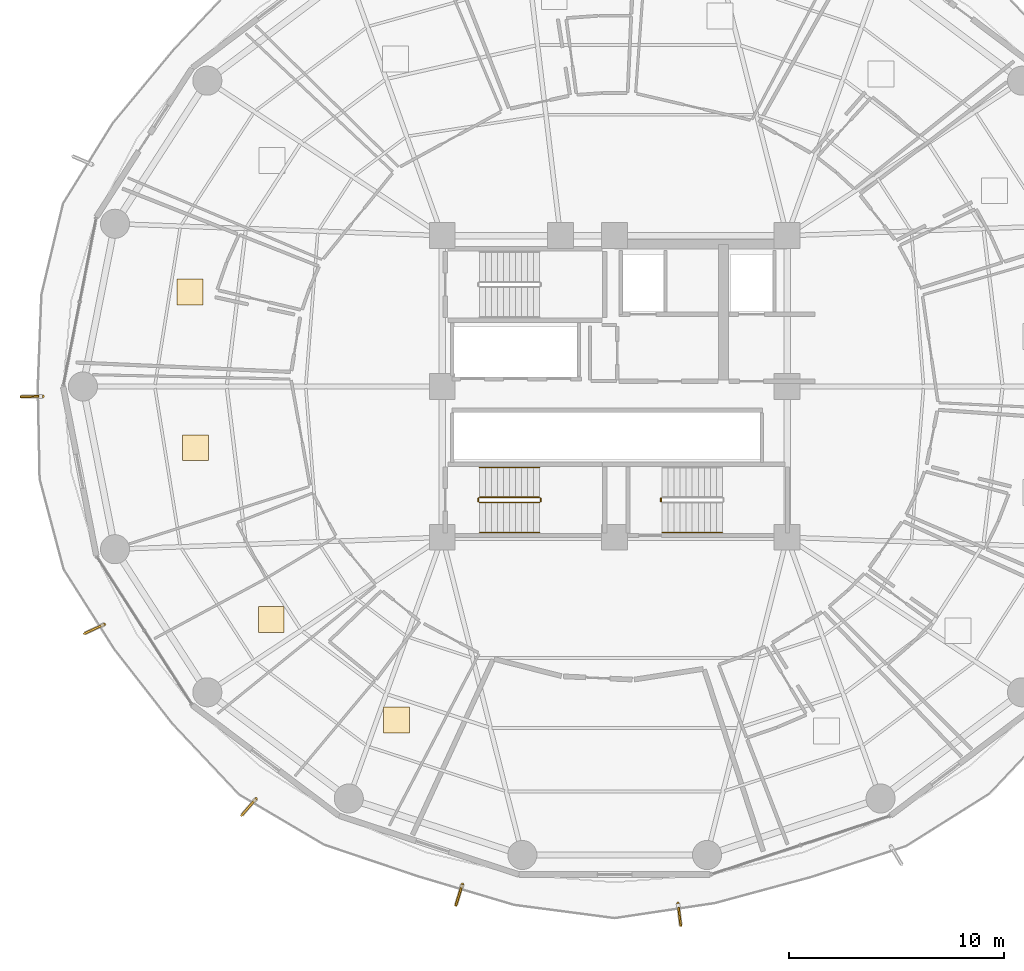
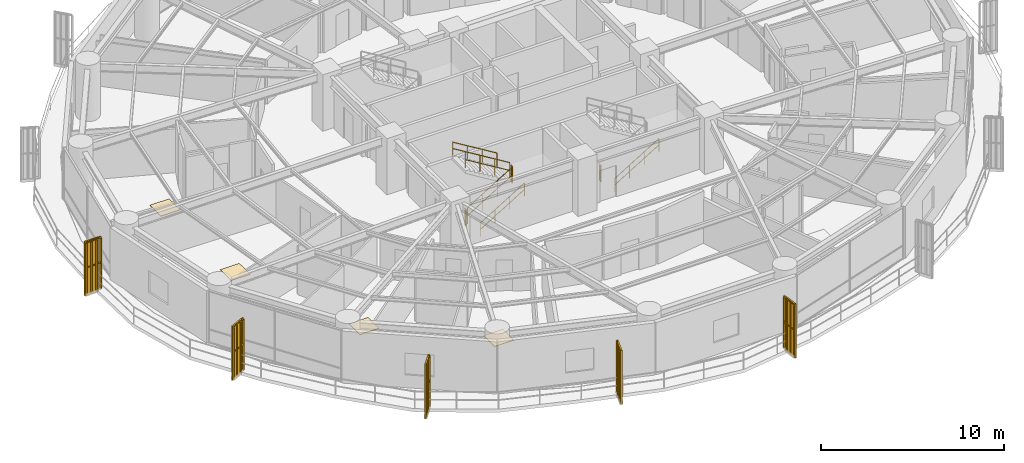
# One storey, part 34 of 37: 13 railings, 5 shading devices, 4 coverings.
"""IFC4 building model written with IfcOpenShell, lengths in metres."""

from ifc_helpers import new_model, si_unit, direction, frame, origin, origin_2d, place, context, subcontext, project, spatial, polyline, rectangle, outline, extrude, source, transform, mapped, material, layer, layer_set, type_object, element, save


model = new_model("IFC4")

# Units and contexts
model_context = context("Model", 3, precision=1e-05, world=origin(), true_north=direction((0.0, 1.0)))
body_context = subcontext(model_context, "Body", "Model", "MODEL_VIEW")
ifc_project = project(units=[si_unit("LENGTHUNIT", "METRE"), si_unit("AREAUNIT", "SQUARE_METRE"), si_unit("VOLUMEUNIT", "CUBIC_METRE"), si_unit("PLANEANGLEUNIT", "RADIAN"), si_unit("MASSUNIT", "GRAM", prefix="KILO")], contexts=[model_context])

# Site, building, storey
site_placement = place(None, origin())
site = spatial("IfcSite", under=ifc_project, at=site_placement, CompositionType="ELEMENT")
building_placement = place(site_placement, origin())
building = spatial("IfcBuilding", under=site, at=building_placement, Name="Kelanora Arch Commons", CompositionType="ELEMENT")
storey_placement = place(building_placement, frame((0.0, 0.0, 110.10009765625)))
storey = spatial("IfcBuildingStorey", under=building, at=storey_placement, Name="L28", CompositionType="ELEMENT", Elevation=110.10009765625)

# Railings
ifc_material_1 = material(Name="Anodised bronze vertical shading fin rib assembly")
railing_type_1 = type_object("IfcRailingType", Name="RAIL-FIN-BRZ", PredefinedType="BALUSTRADE", material=ifc_material_1)
railing_1_placement = place(storey_placement, frame((47.453125, 57.543701171875, -0.02001953125)))
element("IfcRailing", 1, at=railing_1_placement, inside=storey, type_object=railing_type_1, Name="Sweeping Bronze Vertical Fin Blade L28-06", PredefinedType="BALUSTRADE", context=body_context, shape_type="SweptSolid", body=[
    extrude(outline(polyline([(0.06982421875, 0.0), (0.034912109375, 0.060546875), (-0.034912109375, 0.060546875), (-0.06982421875, 0.0), (-0.034912109375, -0.060546875), (0.034912109375, -0.060546875), (0.06982421875, 0.0)])), frame((0.0, 0.0, 3.419921875), z_axis=(-0.999850324265, -0.017301129061, 0.0), x_axis=(0.017301129061, -0.999850324265, 0.0)), (0.0, 0.0, 1.0), 0.945556640625),
    extrude(outline(polyline([(0.06982421875, 0.0), (0.034912109375, 0.060546875), (-0.034912109375, 0.060546875), (-0.06982421875, 0.0), (-0.034912109375, -0.060546875), (0.034912109375, -0.060546875), (0.06982421875, 0.0)])), frame((0.0, 0.0, 1.7451171875), z_axis=(-0.999850324265, -0.017301129061, 0.0), x_axis=(0.017301129061, -0.999850324265, 0.0)), (0.0, 0.0, 1.0), 0.945556640625),
    extrude(outline(polyline([(0.080078125, 0.0), (0.0400390625, 0.0693359375), (-0.0400390625, 0.0693359375), (-0.080078125, 0.0), (-0.0400390625, -0.0693359375), (0.0400390625, -0.0693359375), (0.080078125, 0.0)])), origin(), (0.0, 0.0, 1.0), 3.35009765625),
    extrude(outline(polyline([(0.080078125, 0.0), (0.0400390625, 0.0693359375), (-0.0400390625, 0.0693359375), (-0.080078125, 0.0), (-0.0400390625, -0.0693359375), (0.0400390625, -0.0693359375), (0.080078125, 0.0)])), frame((-0.315185546875, -0.00537109375, 0.0)), (0.0, 0.0, 1.0), 3.35009765625),
    extrude(outline(polyline([(0.080078125, 0.0), (0.0400390625, 0.0693359375), (-0.0400390625, 0.0693359375), (-0.080078125, 0.0), (-0.0400390625, -0.0693359375), (0.0400390625, -0.0693359375), (0.080078125, 0.0)])), frame((-0.630126953125, -0.010986328125, 0.0)), (0.0, 0.0, 1.0), 3.35009765625),
    extrude(outline(polyline([(0.080078125, 0.0), (0.0400390625, 0.0693359375), (-0.0400390625, 0.0693359375), (-0.080078125, 0.0), (-0.0400390625, -0.0693359375), (0.0400390625, -0.0693359375), (0.080078125, 0.0)])), frame((-0.9453125, -0.016357421875, 0.0)), (0.0, 0.0, 1.0), 3.35009765625),
])
railing_2_placement = place(storey_placement, frame((50.30419921875, 46.9580078125, -0.02001953125)))
element("IfcRailing", 2, at=railing_2_placement, inside=storey, type_object=railing_type_1, Name="Sweeping Bronze Vertical Fin Blade L28-07", PredefinedType="BALUSTRADE", context=body_context, shape_type="SweptSolid", body=[
    extrude(outline(polyline([(0.06982421875, 0.0), (0.034912109375, 0.060546875), (-0.034912109375, 0.060546875), (-0.06982421875, 0.0), (-0.034912109375, -0.060546875), (0.034912109375, -0.060546875), (0.06982421875, 0.0)])), frame((0.0, 0.0, 3.419921875), z_axis=(-0.906433755394, -0.422348016549, 0.0), x_axis=(0.422348016549, -0.906433755394, 0.0)), (0.0, 0.0, 1.0), 0.945068359375),
    extrude(outline(polyline([(0.06982421875, 0.0), (0.034912109375, 0.060546875), (-0.034912109375, 0.060546875), (-0.06982421875, 0.0), (-0.034912109375, -0.060546875), (0.034912109375, -0.060546875), (0.06982421875, 0.0)])), frame((0.0, 0.0, 1.7451171875), z_axis=(-0.906433755394, -0.422348016549, 0.0), x_axis=(0.422348016549, -0.906433755394, 0.0)), (0.0, 0.0, 1.0), 0.945068359375),
    extrude(outline(polyline([(0.080078125, 0.0), (0.0400390625, 0.0693359375), (-0.0400390625, 0.0693359375), (-0.080078125, 0.0), (-0.0400390625, -0.0693359375), (0.0400390625, -0.0693359375), (0.080078125, 0.0)])), origin(), (0.0, 0.0, 1.0), 3.35009765625),
    extrude(outline(polyline([(0.080078125, 0.0), (0.0400390625, 0.0693359375), (-0.0400390625, 0.0693359375), (-0.080078125, 0.0), (-0.0400390625, -0.0693359375), (0.0400390625, -0.0693359375), (0.080078125, 0.0)])), frame((-0.28564453125, -0.133056640625, 0.0)), (0.0, 0.0, 1.0), 3.35009765625),
    extrude(outline(polyline([(0.080078125, 0.0), (0.0400390625, 0.0693359375), (-0.0400390625, 0.0693359375), (-0.080078125, 0.0), (-0.0400390625, -0.0693359375), (0.0400390625, -0.0693359375), (0.080078125, 0.0)])), frame((-0.571044921875, -0.26611328125, 0.0)), (0.0, 0.0, 1.0), 3.35009765625),
    extrude(outline(polyline([(0.080078125, 0.0), (0.0400390625, 0.0693359375), (-0.0400390625, 0.0693359375), (-0.080078125, 0.0), (-0.0400390625, -0.0693359375), (0.0400390625, -0.0693359375), (0.080078125, 0.0)])), frame((-0.856689453125, -0.399169921875, 0.0)), (0.0, 0.0, 1.0), 3.35009765625),
])
railing_3_placement = place(storey_placement, frame((57.349609375, 38.85595703125, -0.02001953125)))
element("IfcRailing", 3, at=railing_3_placement, inside=storey, type_object=railing_type_1, Name="Sweeping Bronze Vertical Fin Blade L28-08", PredefinedType="BALUSTRADE", context=body_context, shape_type="SweptSolid", body=[
    extrude(outline(polyline([(0.06982421875, 0.0), (0.034912109375, 0.060546875), (-0.034912109375, 0.060546875), (-0.06982421875, 0.0), (-0.034912109375, -0.060546875), (0.034912109375, -0.060546875), (0.06982421875, 0.0)])), frame((0.0, 0.0, 3.419921875), z_axis=(-0.656344903227, -0.754460978453, 0.0), x_axis=(0.754460978453, -0.656344903227, 0.0)), (0.0, 0.0, 1.0), 0.945556640625),
    extrude(outline(polyline([(0.06982421875, 0.0), (0.034912109375, 0.060546875), (-0.034912109375, 0.060546875), (-0.06982421875, 0.0), (-0.034912109375, -0.060546875), (0.034912109375, -0.060546875), (0.06982421875, 0.0)])), frame((0.0, 0.0, 1.7451171875), z_axis=(-0.656344903227, -0.754460978453, 0.0), x_axis=(0.754460978453, -0.656344903227, 0.0)), (0.0, 0.0, 1.0), 0.945556640625),
    extrude(outline(polyline([(0.080078125, 0.0), (0.0400390625, 0.0693359375), (-0.0400390625, 0.0693359375), (-0.080078125, 0.0), (-0.0400390625, -0.0693359375), (0.0400390625, -0.0693359375), (0.080078125, 0.0)])), origin(), (0.0, 0.0, 1.0), 3.35009765625),
    extrude(outline(polyline([(0.080078125, 0.0), (0.0400390625, 0.0693359375), (-0.0400390625, 0.0693359375), (-0.080078125, 0.0), (-0.0400390625, -0.0693359375), (0.0400390625, -0.0693359375), (0.080078125, 0.0)])), frame((-0.206787109375, -0.23779296875, 0.0)), (0.0, 0.0, 1.0), 3.35009765625),
    extrude(outline(polyline([(0.080078125, 0.0), (0.0400390625, 0.0693359375), (-0.0400390625, 0.0693359375), (-0.080078125, 0.0), (-0.0400390625, -0.0693359375), (0.0400390625, -0.0693359375), (0.080078125, 0.0)])), frame((-0.413818359375, -0.4755859375, 0.0)), (0.0, 0.0, 1.0), 3.35009765625),
    extrude(outline(polyline([(0.080078125, 0.0), (0.0400390625, 0.0693359375), (-0.0400390625, 0.0693359375), (-0.080078125, 0.0), (-0.0400390625, -0.0693359375), (0.0400390625, -0.0693359375), (0.080078125, 0.0)])), frame((-0.62060546875, -0.71337890625, 0.0)), (0.0, 0.0, 1.0), 3.35009765625),
])
railing_4_placement = place(storey_placement, frame((66.927734375, 34.889404296875, -0.02001953125)))
element("IfcRailing", 4, at=railing_4_placement, inside=storey, type_object=railing_type_1, Name="Sweeping Bronze Vertical Fin Blade L28-09", PredefinedType="BALUSTRADE", context=body_context, shape_type="SweptSolid", body=[
    extrude(outline(polyline([(0.06982421875, 0.0), (0.034912109375, 0.060546875), (-0.034912109375, 0.060546875), (-0.06982421875, 0.0), (-0.034912109375, -0.060546875), (0.034912109375, -0.060546875), (0.06982421875, 0.0)])), frame((0.0, 0.0, 3.419921875), z_axis=(-0.292651615024, -0.956219133998, 0.0), x_axis=(0.956219133998, -0.292651615024, 0.0)), (0.0, 0.0, 1.0), 0.945068359375),
    extrude(outline(polyline([(0.06982421875, 0.0), (0.034912109375, 0.060546875), (-0.034912109375, 0.060546875), (-0.06982421875, 0.0), (-0.034912109375, -0.060546875), (0.034912109375, -0.060546875), (0.06982421875, 0.0)])), frame((0.0, 0.0, 1.7451171875), z_axis=(-0.292651615024, -0.956219133998, 0.0), x_axis=(0.956219133998, -0.292651615024, 0.0)), (0.0, 0.0, 1.0), 0.945068359375),
    extrude(outline(polyline([(0.080078125, 0.0), (0.0400390625, 0.0693359375), (-0.0400390625, 0.0693359375), (-0.080078125, 0.0), (-0.0400390625, -0.0693359375), (0.0400390625, -0.0693359375), (0.080078125, 0.0)])), origin(), (0.0, 0.0, 1.0), 3.35009765625),
    extrude(outline(polyline([(0.080078125, 0.0), (0.0400390625, 0.0693359375), (-0.0400390625, 0.0693359375), (-0.080078125, 0.0), (-0.0400390625, -0.0693359375), (0.0400390625, -0.0693359375), (0.080078125, 0.0)])), frame((-0.09228515625, -0.30126953125, 0.0)), (0.0, 0.0, 1.0), 3.35009765625),
    extrude(outline(polyline([(0.080078125, 0.0), (0.0400390625, 0.0693359375), (-0.0400390625, 0.0693359375), (-0.080078125, 0.0), (-0.0400390625, -0.0693359375), (0.0400390625, -0.0693359375), (0.080078125, 0.0)])), frame((-0.184326171875, -0.6025390625, 0.0)), (0.0, 0.0, 1.0), 3.35009765625),
    extrude(outline(polyline([(0.080078125, 0.0), (0.0400390625, 0.0693359375), (-0.0400390625, 0.0693359375), (-0.080078125, 0.0), (-0.0400390625, -0.0693359375), (0.0400390625, -0.0693359375), (0.080078125, 0.0)])), frame((-0.276611328125, -0.90380859375, 0.0)), (0.0, 0.0, 1.0), 3.35009765625),
])
railing_5_placement = place(storey_placement, frame((76.941162109375, 33.994873046875, -0.02001953125)))
element("IfcRailing", 5, at=railing_5_placement, inside=storey, type_object=railing_type_1, Name="Sweeping Bronze Vertical Fin Blade L28-10", PredefinedType="BALUSTRADE", context=body_context, shape_type="SweptSolid", body=[
    extrude(outline(polyline([(0.06982421875, 0.0), (0.034912109375, 0.060546875), (-0.034912109375, 0.060546875), (-0.06982421875, 0.0), (-0.034912109375, -0.060546875), (0.034912109375, -0.060546875), (0.06982421875, 0.0)])), frame((0.0, 0.0, 3.419921875), z_axis=(0.121364660427, -0.992607988684, 0.0), x_axis=(0.992607988684, 0.121364660427, 0.0)), (0.0, 0.0, 1.0), 0.945556640625),
    extrude(outline(polyline([(0.06982421875, 0.0), (0.034912109375, 0.060546875), (-0.034912109375, 0.060546875), (-0.06982421875, 0.0), (-0.034912109375, -0.060546875), (0.034912109375, -0.060546875), (0.06982421875, 0.0)])), frame((0.0, 0.0, 1.7451171875), z_axis=(0.121364660427, -0.992607988684, 0.0), x_axis=(0.992607988684, 0.121364660427, 0.0)), (0.0, 0.0, 1.0), 0.945556640625),
    extrude(outline(polyline([(0.080078125, 0.0), (0.0400390625, 0.0693359375), (-0.0400390625, 0.0693359375), (-0.080078125, 0.0), (-0.0400390625, -0.0693359375), (0.0400390625, -0.0693359375), (0.080078125, 0.0)])), origin(), (0.0, 0.0, 1.0), 3.35009765625),
    extrude(outline(polyline([(0.080078125, 0.0), (0.0400390625, 0.0693359375), (-0.0400390625, 0.0693359375), (-0.080078125, 0.0), (-0.0400390625, -0.0693359375), (0.0400390625, -0.0693359375), (0.080078125, 0.0)])), frame((0.038330078125, -0.312744140625, 0.0)), (0.0, 0.0, 1.0), 3.35009765625),
    extrude(outline(polyline([(0.080078125, 0.0), (0.0400390625, 0.0693359375), (-0.0400390625, 0.0693359375), (-0.080078125, 0.0), (-0.0400390625, -0.0693359375), (0.0400390625, -0.0693359375), (0.080078125, 0.0)])), frame((0.076416015625, -0.625732421875, 0.0)), (0.0, 0.0, 1.0), 3.35009765625),
    extrude(outline(polyline([(0.080078125, 0.0), (0.0400390625, 0.0693359375), (-0.0400390625, 0.0693359375), (-0.080078125, 0.0), (-0.0400390625, -0.0693359375), (0.0400390625, -0.0693359375), (0.080078125, 0.0)])), frame((0.11474609375, -0.9384765625, 0.0)), (0.0, 0.0, 1.0), 3.35009765625),
])
ifc_material_2 = material(Name="Painted steel stair well guard", Category="steel")
railing_type_2 = type_object("IfcRailingType", Name="RAIL-STAIR-GRD", PredefinedType="GUARDRAIL", material=ifc_material_2)
railing_6_placement = place(storey_placement, frame((76.14990234375, 52.659912109375, 0.0)))
element("IfcRailing", 6, at=railing_6_placement, inside=storey, type_object=railing_type_2, Name="L28 ST-T2 stair guard 4", PredefinedType="GUARDRAIL", context=body_context, shape_type="SweptSolid", body=[
    extrude(outline(polyline([(0.02392578125, 0.0), (0.011962890625, 0.020751953125), (-0.011962890625, 0.020751953125), (-0.02392578125, 0.0), (-0.011962890625, -0.020751953125), (0.011962890625, -0.020751953125), (0.02392578125, 0.0)])), frame((0.0, 0.0, 1.076171875), z_axis=(0.0, 1.0, 0.0), x_axis=(-1.0, 0.0, 0.0)), (0.0, 0.0, 1.0), 0.150146484375),
    extrude(outline(polyline([(0.02392578125, 0.0), (0.011962890625, 0.020751953125), (-0.011962890625, 0.020751953125), (-0.02392578125, 0.0), (-0.011962890625, -0.020751953125), (0.011962890625, -0.020751953125), (0.02392578125, 0.0)])), frame((0.0, 0.0, 0.550048828125), z_axis=(0.0, 1.0, 0.0), x_axis=(-1.0, 0.0, 0.0)), (0.0, 0.0, 1.0), 0.150146484375),
    extrude(outline(polyline([(0.02099609375, 0.0), (0.010498046875, 0.01806640625), (-0.010498046875, 0.01806640625), (-0.02099609375, 0.0), (-0.010498046875, -0.01806640625), (0.010498046875, -0.01806640625), (0.02099609375, 0.0)])), origin(), (0.0, 0.0, 1.0), 1.052001953125),
    extrude(outline(polyline([(0.02099609375, 0.0), (0.010498046875, 0.01806640625), (-0.010498046875, 0.01806640625), (-0.02099609375, 0.0), (-0.010498046875, -0.01806640625), (0.010498046875, -0.01806640625), (0.02099609375, 0.0)])), frame((0.0, 0.150146484375, 0.0)), (0.0, 0.0, 1.0), 1.052001953125),
])
railing_7_placement = place(storey_placement, frame((67.719970703125, 52.610107421875, 0.17041015625)))
element("IfcRailing", 7, at=railing_7_placement, inside=storey, type_object=railing_type_2, Name="L28 ST-T3 stair guard 1", PredefinedType="GUARDRAIL", context=body_context, shape_type="SweptSolid", body=[
    extrude(outline(polyline([(0.02392578125, 0.0), (0.011962890625, 0.020751953125), (-0.011962890625, 0.020751953125), (-0.02392578125, 0.0), (-0.011962890625, -0.020751953125), (0.011962890625, -0.020751953125), (0.02392578125, 0.0)])), frame((0.0, 0.0, 1.076171875), z_axis=(0.854169791009, 0.0, 0.51999420009), x_axis=(0.0, 1.0, 0.0)), (0.0, 0.0, 1.0), 3.278076171875),
    extrude(outline(polyline([(0.02392578125, 0.0), (0.011962890625, 0.020751953125), (-0.011962890625, 0.020751953125), (-0.02392578125, 0.0), (-0.011962890625, -0.020751953125), (0.011962890625, -0.020751953125), (0.02392578125, 0.0)])), frame((0.0, 0.0, 0.550048828125), z_axis=(0.854169791009, 0.0, 0.51999420009), x_axis=(0.0, 1.0, 0.0)), (0.0, 0.0, 1.0), 3.278076171875),
    extrude(outline(polyline([(0.02099609375, 0.0), (0.010498046875, 0.01806640625), (-0.010498046875, 0.01806640625), (-0.02099609375, 0.0), (-0.010498046875, -0.01806640625), (0.010498046875, -0.01806640625), (0.02099609375, 0.0)])), origin(), (0.0, 0.0, 1.0), 1.052001953125),
    extrude(outline(polyline([(0.02099609375, 0.0), (0.010498046875, 0.01806640625), (-0.010498046875, 0.01806640625), (-0.02099609375, 0.0), (-0.010498046875, -0.01806640625), (0.010498046875, -0.01806640625), (0.02099609375, 0.0)])), frame((0.933349609375, 0.0, 0.568115234375)), (0.0, 0.0, 1.0), 1.052001953125),
    extrude(outline(polyline([(0.02099609375, 0.0), (0.010498046875, 0.01806640625), (-0.010498046875, 0.01806640625), (-0.02099609375, 0.0), (-0.010498046875, -0.01806640625), (0.010498046875, -0.01806640625), (0.02099609375, 0.0)])), frame((1.86669921875, 0.0, 1.136474609375)), (0.0, 0.0, 1.0), 1.052001953125),
    extrude(outline(polyline([(0.02099609375, 0.0), (0.010498046875, 0.01806640625), (-0.010498046875, 0.01806640625), (-0.02099609375, 0.0), (-0.010498046875, -0.01806640625), (0.010498046875, -0.01806640625), (0.02099609375, 0.0)])), frame((2.800048828125, 0.0, 1.70458984375)), (0.0, 0.0, 1.0), 1.052001953125),
])
railing_8_placement = place(storey_placement, frame((70.570068359375, 52.659912109375, 1.875)))
element("IfcRailing", 8, at=railing_8_placement, inside=storey, type_object=railing_type_2, Name="L28 ST-T3 stair guard 2", PredefinedType="GUARDRAIL", context=body_context, shape_type="SweptSolid", body=[
    extrude(outline(polyline([(0.02392578125, 0.0), (0.011962890625, 0.020751953125), (-0.011962890625, 0.020751953125), (-0.02392578125, 0.0), (-0.011962890625, -0.020751953125), (0.011962890625, -0.020751953125), (0.02392578125, 0.0)])), frame((0.0, 0.0, 1.076171875), z_axis=(0.0, 1.0, 0.0), x_axis=(-1.0, 0.0, 0.0)), (0.0, 0.0, 1.0), 0.150146484375),
    extrude(outline(polyline([(0.02392578125, 0.0), (0.011962890625, 0.020751953125), (-0.011962890625, 0.020751953125), (-0.02392578125, 0.0), (-0.011962890625, -0.020751953125), (0.011962890625, -0.020751953125), (0.02392578125, 0.0)])), frame((0.0, 0.0, 0.550048828125), z_axis=(0.0, 1.0, 0.0), x_axis=(-1.0, 0.0, 0.0)), (0.0, 0.0, 1.0), 0.150146484375),
    extrude(outline(polyline([(0.02099609375, 0.0), (0.010498046875, 0.01806640625), (-0.010498046875, 0.01806640625), (-0.02099609375, 0.0), (-0.010498046875, -0.01806640625), (0.010498046875, -0.01806640625), (0.02099609375, 0.0)])), origin(), (0.0, 0.0, 1.0), 1.052001953125),
    extrude(outline(polyline([(0.02099609375, 0.0), (0.010498046875, 0.01806640625), (-0.010498046875, 0.01806640625), (-0.02099609375, 0.0), (-0.010498046875, -0.01806640625), (0.010498046875, -0.01806640625), (0.02099609375, 0.0)])), frame((0.0, 0.150146484375, 0.0)), (0.0, 0.0, 1.0), 1.052001953125),
])
railing_9_placement = place(storey_placement, frame((70.52001953125, 52.860107421875, 2.04541015625)))
element("IfcRailing", 9, at=railing_9_placement, inside=storey, type_object=railing_type_2, Name="L28 ST-T3 stair guard 3", PredefinedType="GUARDRAIL", context=body_context, shape_type="SweptSolid", body=[
    extrude(outline(polyline([(0.02392578125, 0.0), (0.011962890625, 0.020751953125), (-0.011962890625, 0.020751953125), (-0.02392578125, 0.0), (-0.011962890625, -0.020751953125), (0.011962890625, -0.020751953125), (0.02392578125, 0.0)])), frame((0.0, 0.0, 1.076171875), z_axis=(-0.854169791009, 0.0, 0.51999420009), x_axis=(0.0, -1.0, 0.0)), (0.0, 0.0, 1.0), 3.278076171875),
    extrude(outline(polyline([(0.02392578125, 0.0), (0.011962890625, 0.020751953125), (-0.011962890625, 0.020751953125), (-0.02392578125, 0.0), (-0.011962890625, -0.020751953125), (0.011962890625, -0.020751953125), (0.02392578125, 0.0)])), frame((0.0, 0.0, 0.550048828125), z_axis=(-0.854169791009, 0.0, 0.51999420009), x_axis=(0.0, -1.0, 0.0)), (0.0, 0.0, 1.0), 3.278076171875),
    extrude(outline(polyline([(0.02099609375, 0.0), (0.010498046875, 0.01806640625), (-0.010498046875, 0.01806640625), (-0.02099609375, 0.0), (-0.010498046875, -0.01806640625), (0.010498046875, -0.01806640625), (0.02099609375, 0.0)])), origin(), (0.0, 0.0, 1.0), 1.052001953125),
    extrude(outline(polyline([(0.02099609375, 0.0), (0.010498046875, 0.01806640625), (-0.010498046875, 0.01806640625), (-0.02099609375, 0.0), (-0.010498046875, -0.01806640625), (0.010498046875, -0.01806640625), (0.02099609375, 0.0)])), frame((-0.933349609375, 0.0, 0.568115234375)), (0.0, 0.0, 1.0), 1.052001953125),
    extrude(outline(polyline([(0.02099609375, 0.0), (0.010498046875, 0.01806640625), (-0.010498046875, 0.01806640625), (-0.02099609375, 0.0), (-0.010498046875, -0.01806640625), (0.010498046875, -0.01806640625), (0.02099609375, 0.0)])), frame((-1.86669921875, 0.0, 1.136474609375)), (0.0, 0.0, 1.0), 1.052001953125),
    extrude(outline(polyline([(0.02099609375, 0.0), (0.010498046875, 0.01806640625), (-0.010498046875, 0.01806640625), (-0.02099609375, 0.0), (-0.010498046875, -0.01806640625), (0.010498046875, -0.01806640625), (0.02099609375, 0.0)])), frame((-2.800048828125, 0.0, 1.70458984375)), (0.0, 0.0, 1.0), 1.052001953125),
])
railing_10_placement = place(storey_placement, frame((67.669921875, 52.659912109375, 0.0)))
element("IfcRailing", 10, at=railing_10_placement, inside=storey, type_object=railing_type_2, Name="L28 ST-T3 stair guard 4", PredefinedType="GUARDRAIL", context=body_context, shape_type="SweptSolid", body=[
    extrude(outline(polyline([(0.02392578125, 0.0), (0.011962890625, 0.020751953125), (-0.011962890625, 0.020751953125), (-0.02392578125, 0.0), (-0.011962890625, -0.020751953125), (0.011962890625, -0.020751953125), (0.02392578125, 0.0)])), frame((0.0, 0.0, 1.076171875), z_axis=(0.0, 1.0, 0.0), x_axis=(-1.0, 0.0, 0.0)), (0.0, 0.0, 1.0), 0.150146484375),
    extrude(outline(polyline([(0.02392578125, 0.0), (0.011962890625, 0.020751953125), (-0.011962890625, 0.020751953125), (-0.02392578125, 0.0), (-0.011962890625, -0.020751953125), (0.011962890625, -0.020751953125), (0.02392578125, 0.0)])), frame((0.0, 0.0, 0.550048828125), z_axis=(0.0, 1.0, 0.0), x_axis=(-1.0, 0.0, 0.0)), (0.0, 0.0, 1.0), 0.150146484375),
    extrude(outline(polyline([(0.02099609375, 0.0), (0.010498046875, 0.01806640625), (-0.010498046875, 0.01806640625), (-0.02099609375, 0.0), (-0.010498046875, -0.01806640625), (0.010498046875, -0.01806640625), (0.02099609375, 0.0)])), origin(), (0.0, 0.0, 1.0), 1.052001953125),
    extrude(outline(polyline([(0.02099609375, 0.0), (0.010498046875, 0.01806640625), (-0.010498046875, 0.01806640625), (-0.02099609375, 0.0), (-0.010498046875, -0.01806640625), (0.010498046875, -0.01806640625), (0.02099609375, 0.0)])), frame((0.0, 0.150146484375, 0.0)), (0.0, 0.0, 1.0), 1.052001953125),
])
ifc_material_3 = material(Name="Brushed stainless steel stair handrail", Category="steel")
railing_type_3 = type_object("IfcRailingType", Name="RAIL-STAIR-HND", PredefinedType="HANDRAIL", material=ifc_material_3)
railing_11_placement = place(storey_placement, frame((76.199951171875, 51.22998046875, 0.17041015625)))
element("IfcRailing", 11, at=railing_11_placement, inside=storey, type_object=railing_type_3, Name="L28 ST-T2 stair handrail 1", PredefinedType="HANDRAIL", context=body_context, shape_type="SweptSolid", body=[
    extrude(outline(polyline([(0.02392578125, 0.0), (0.011962890625, 0.020751953125), (-0.011962890625, 0.020751953125), (-0.02392578125, 0.0), (-0.011962890625, -0.020751953125), (0.011962890625, -0.020751953125), (0.02392578125, 0.0)])), frame((0.0, 0.0, 0.8759765625), z_axis=(0.854169791009, 0.0, 0.51999420009), x_axis=(0.0, 1.0, 0.0)), (0.0, 0.0, 1.0), 3.278076171875),
    extrude(outline(polyline([(0.02392578125, 0.0), (0.011962890625, 0.020751953125), (-0.011962890625, 0.020751953125), (-0.02392578125, 0.0), (-0.011962890625, -0.020751953125), (0.011962890625, -0.020751953125), (0.02392578125, 0.0)])), frame((0.0, 0.0, 0.449951171875), z_axis=(0.854169791009, 0.0, 0.51999420009), x_axis=(0.0, 1.0, 0.0)), (0.0, 0.0, 1.0), 3.278076171875),
    extrude(outline(polyline([(0.02099609375, 0.0), (0.010498046875, 0.01806640625), (-0.010498046875, 0.01806640625), (-0.02099609375, 0.0), (-0.010498046875, -0.01806640625), (0.010498046875, -0.01806640625), (0.02099609375, 0.0)])), origin(), (0.0, 0.0, 1.0), 0.851806640625),
    extrude(outline(polyline([(0.02099609375, 0.0), (0.010498046875, 0.01806640625), (-0.010498046875, 0.01806640625), (-0.02099609375, 0.0), (-0.010498046875, -0.01806640625), (0.010498046875, -0.01806640625), (0.02099609375, 0.0)])), frame((0.933349609375, 0.0, 0.568115234375)), (0.0, 0.0, 1.0), 0.851806640625),
    extrude(outline(polyline([(0.02099609375, 0.0), (0.010498046875, 0.01806640625), (-0.010498046875, 0.01806640625), (-0.02099609375, 0.0), (-0.010498046875, -0.01806640625), (0.010498046875, -0.01806640625), (0.02099609375, 0.0)])), frame((1.86669921875, 0.0, 1.136474609375)), (0.0, 0.0, 1.0), 0.851806640625),
    extrude(outline(polyline([(0.02099609375, 0.0), (0.010498046875, 0.01806640625), (-0.010498046875, 0.01806640625), (-0.02099609375, 0.0), (-0.010498046875, -0.01806640625), (0.010498046875, -0.01806640625), (0.02099609375, 0.0)])), frame((2.800048828125, 0.0, 1.70458984375)), (0.0, 0.0, 1.0), 0.851806640625),
])
railing_12_placement = place(storey_placement, frame((67.719970703125, 51.22998046875, 0.17041015625)))
element("IfcRailing", 12, at=railing_12_placement, inside=storey, type_object=railing_type_3, Name="L28 ST-T3 stair handrail 1", PredefinedType="HANDRAIL", context=body_context, shape_type="SweptSolid", body=[
    extrude(outline(polyline([(0.02392578125, 0.0), (0.011962890625, 0.020751953125), (-0.011962890625, 0.020751953125), (-0.02392578125, 0.0), (-0.011962890625, -0.020751953125), (0.011962890625, -0.020751953125), (0.02392578125, 0.0)])), frame((0.0, 0.0, 0.8759765625), z_axis=(0.854169791009, 0.0, 0.51999420009), x_axis=(0.0, 1.0, 0.0)), (0.0, 0.0, 1.0), 3.278076171875),
    extrude(outline(polyline([(0.02392578125, 0.0), (0.011962890625, 0.020751953125), (-0.011962890625, 0.020751953125), (-0.02392578125, 0.0), (-0.011962890625, -0.020751953125), (0.011962890625, -0.020751953125), (0.02392578125, 0.0)])), frame((0.0, 0.0, 0.449951171875), z_axis=(0.854169791009, 0.0, 0.51999420009), x_axis=(0.0, 1.0, 0.0)), (0.0, 0.0, 1.0), 3.278076171875),
    extrude(outline(polyline([(0.02099609375, 0.0), (0.010498046875, 0.01806640625), (-0.010498046875, 0.01806640625), (-0.02099609375, 0.0), (-0.010498046875, -0.01806640625), (0.010498046875, -0.01806640625), (0.02099609375, 0.0)])), origin(), (0.0, 0.0, 1.0), 0.851806640625),
    extrude(outline(polyline([(0.02099609375, 0.0), (0.010498046875, 0.01806640625), (-0.010498046875, 0.01806640625), (-0.02099609375, 0.0), (-0.010498046875, -0.01806640625), (0.010498046875, -0.01806640625), (0.02099609375, 0.0)])), frame((0.933349609375, 0.0, 0.568115234375)), (0.0, 0.0, 1.0), 0.851806640625),
    extrude(outline(polyline([(0.02099609375, 0.0), (0.010498046875, 0.01806640625), (-0.010498046875, 0.01806640625), (-0.02099609375, 0.0), (-0.010498046875, -0.01806640625), (0.010498046875, -0.01806640625), (0.02099609375, 0.0)])), frame((1.86669921875, 0.0, 1.136474609375)), (0.0, 0.0, 1.0), 0.851806640625),
    extrude(outline(polyline([(0.02099609375, 0.0), (0.010498046875, 0.01806640625), (-0.010498046875, 0.01806640625), (-0.02099609375, 0.0), (-0.010498046875, -0.01806640625), (0.010498046875, -0.01806640625), (0.02099609375, 0.0)])), frame((2.800048828125, 0.0, 1.70458984375)), (0.0, 0.0, 1.0), 0.851806640625),
])
railing_13_placement = place(storey_placement, frame((70.52001953125, 54.239990234375, 2.04541015625)))
element("IfcRailing", 13, at=railing_13_placement, inside=storey, type_object=railing_type_3, Name="L28 ST-T3 stair handrail 2", PredefinedType="HANDRAIL", context=body_context, shape_type="SweptSolid", body=[
    extrude(outline(polyline([(0.02392578125, 0.0), (0.011962890625, 0.020751953125), (-0.011962890625, 0.020751953125), (-0.02392578125, 0.0), (-0.011962890625, -0.020751953125), (0.011962890625, -0.020751953125), (0.02392578125, 0.0)])), frame((0.0, 0.0, 0.8759765625), z_axis=(-0.854169791009, 0.0, 0.51999420009), x_axis=(0.0, -1.0, 0.0)), (0.0, 0.0, 1.0), 3.278076171875),
    extrude(outline(polyline([(0.02392578125, 0.0), (0.011962890625, 0.020751953125), (-0.011962890625, 0.020751953125), (-0.02392578125, 0.0), (-0.011962890625, -0.020751953125), (0.011962890625, -0.020751953125), (0.02392578125, 0.0)])), frame((0.0, 0.0, 0.449951171875), z_axis=(-0.854169791009, 0.0, 0.51999420009), x_axis=(0.0, -1.0, 0.0)), (0.0, 0.0, 1.0), 3.278076171875),
    extrude(outline(polyline([(0.02099609375, 0.0), (0.010498046875, 0.01806640625), (-0.010498046875, 0.01806640625), (-0.02099609375, 0.0), (-0.010498046875, -0.01806640625), (0.010498046875, -0.01806640625), (0.02099609375, 0.0)])), origin(), (0.0, 0.0, 1.0), 0.851806640625),
    extrude(outline(polyline([(0.02099609375, 0.0), (0.010498046875, 0.01806640625), (-0.010498046875, 0.01806640625), (-0.02099609375, 0.0), (-0.010498046875, -0.01806640625), (0.010498046875, -0.01806640625), (0.02099609375, 0.0)])), frame((-0.933349609375, 0.0, 0.568115234375)), (0.0, 0.0, 1.0), 0.851806640625),
    extrude(outline(polyline([(0.02099609375, 0.0), (0.010498046875, 0.01806640625), (-0.010498046875, 0.01806640625), (-0.02099609375, 0.0), (-0.010498046875, -0.01806640625), (0.010498046875, -0.01806640625), (0.02099609375, 0.0)])), frame((-1.86669921875, 0.0, 1.136474609375)), (0.0, 0.0, 1.0), 0.851806640625),
    extrude(outline(polyline([(0.02099609375, 0.0), (0.010498046875, 0.01806640625), (-0.010498046875, 0.01806640625), (-0.02099609375, 0.0), (-0.010498046875, -0.01806640625), (0.010498046875, -0.01806640625), (0.02099609375, 0.0)])), frame((-2.800048828125, 0.0, 1.70458984375)), (0.0, 0.0, 1.0), 0.851806640625),
])

# Shading devices
ifc_material_4 = material(Name="Terracotta ceramic-clad extruded aluminium fin", Category="masonry")
shading_device_type = type_object("IfcShadingDeviceType", Name="SHD-FIN-FLARE", PredefinedType="USERDEFINED", material=ifc_material_4)
shared_shape_1 = source(origin(), body_context, "Body", "SweptSolid", [
    extrude(rectangle(XDim=0.8798828125, YDim=0.090087890625, at=origin_2d()), origin(), (0.0, 0.0, 1.0), 3.610107421875),
])
for number, where, z_axis, x_axis, name in (
    (14, (46.840576171875, 57.532958984375, -0.14013671875), (0.0, 0.0, 1.0), (-0.999850725947, -0.017277899829, 0.0), "Sweeping Terracotta Fin L28-06"),
    (15, (49.7490234375, 46.69921875, -0.14013671875), (0.0, 0.0, 1.0), (-0.906381534034, -0.422460074755, 0.0), "Sweeping Terracotta Fin L28-07"),
    (16, (56.947509765625, 38.3935546875, -0.14013671875), (0.0, 0.0, 1.0), (-0.656190740668, -0.754595064827, 0.0), "Sweeping Terracotta Fin L28-08"),
    (17, (66.74853515625, 34.3037109375, -0.14013671875), (0.0, 0.0, 1.0), (-0.292538606935, -0.956253712909, 0.0), "Sweeping Terracotta Fin L28-09"),
    (18, (77.015625, 33.38671875, -0.14013671875), (0.0, 0.0, 1.0), (0.121696109567, -0.992567406737, 0.0), "Sweeping Terracotta Fin L28-10"),
):
    element("IfcShadingDevice", number, at=place(storey_placement, frame(where, z_axis=z_axis, x_axis=x_axis)), inside=storey, type_object=shading_device_type, Name=name, ObjectType="FIN", PredefinedType="USERDEFINED", context=body_context, shape_type="MappedRepresentation", body=[
        mapped(shared_shape_1, transform((0.0, 0.0, 0.0), scale=1.0)),
    ])

# Coverings
ifc_material_5 = material(Name="Polished local granite terrazzo flooring", Category="masonry")
ifc_layer = layer(ifc_material_5, 0.030029296875)
ifc_layer_set = layer_set([ifc_layer], Name="Polished local granite terrazzo flooring")
covering_type = type_object("IfcCoveringType", Name="COV-FLR-TER", PredefinedType="FLOORING", material=ifc_layer_set)
shared_shape_2 = source(origin(), body_context, "Body", "SweptSolid", [
    extrude(rectangle(XDim=1.199951171875, YDim=1.199951171875, at=origin_2d()), origin(), (0.0, 0.0, 1.0), 0.030029296875),
])
for number, where, z_axis, x_axis, name in (
    (19, (54.28857421875, 62.39111328125, 0.0), (0.0, 0.0, 1.0), (1.0, 0.0, 0.0), "Co-Living Studio L28-11 Terrazzo Finish"),
    (20, (54.545166015625, 55.15869140625, 0.0), (0.0, 0.0, 1.0), (1.0, 0.0, 0.0), "Quiet Seminar Study Room L28-12 Terrazzo Finish"),
    (21, (58.060546875, 47.18408203125, 0.0), (0.0, 0.0, 1.0), (1.0, 0.0, 0.0), "Quiet Reading Carrel L28-13 Terrazzo Finish"),
    (22, (63.8681640625, 42.526123046875, 0.0), (0.0, 0.0, 1.0), (1.0, 0.0, 0.0), "Tutorial Study Alcove L28-14 Terrazzo Finish"),
):
    element("IfcCovering", number, at=place(storey_placement, frame(where, z_axis=z_axis, x_axis=x_axis)), inside=storey, type_object=covering_type, Name=name, PredefinedType="FLOORING", context=body_context, shape_type="MappedRepresentation", body=[
        mapped(shared_shape_2, transform((0.0, 0.0, 0.0), scale=1.0)),
    ])

save(model, "model.ifc")
